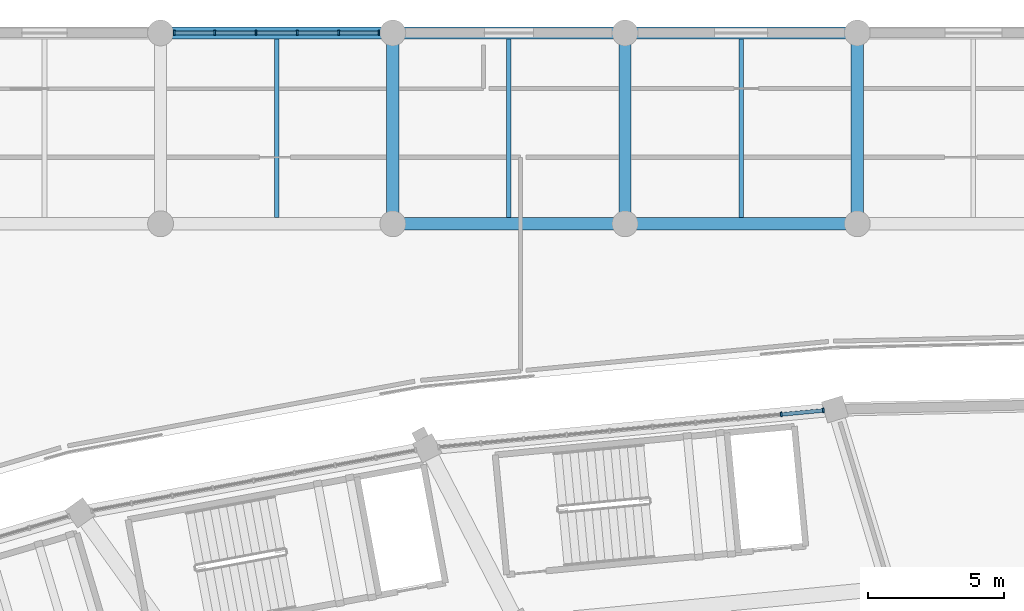
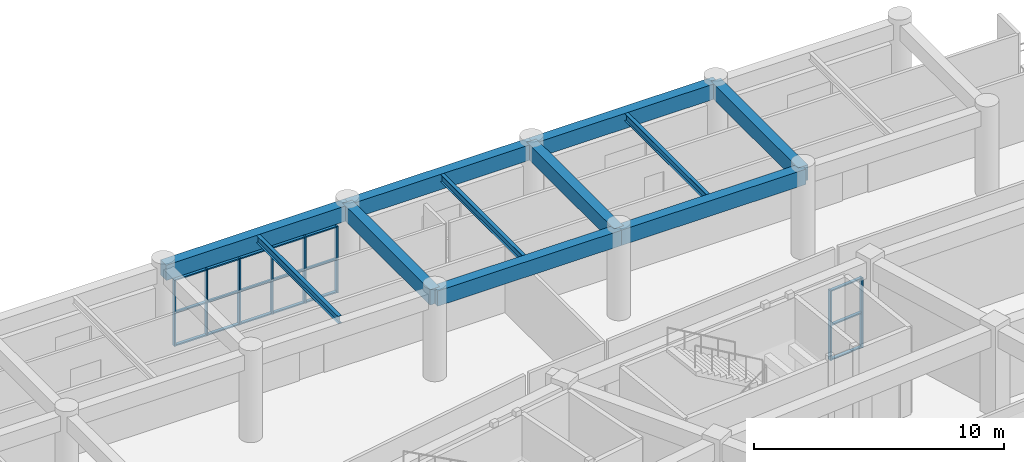
# One storey, part 66 of 145: 26 members, 11 beams, 2 elements without a shape of their own.
"""IFC4 building model written with IfcOpenShell, lengths in metres."""

from ifc_helpers import new_model, si_unit, direction, frame, origin, origin_2d, place, context, subcontext, project, spatial, rectangle, i_section, extrude, material, layer, layer_set, material_profile, profile_set, type_object, element, aggregate, save


model = new_model("IFC4")

# Units and contexts
model_context = context("Model", 3, precision=1e-05, world=origin(), true_north=direction((0.0, 1.0)))
body_context = subcontext(model_context, "Body", "Model", "MODEL_VIEW")
ifc_project = project(units=[si_unit("LENGTHUNIT", "METRE"), si_unit("AREAUNIT", "SQUARE_METRE"), si_unit("VOLUMEUNIT", "CUBIC_METRE"), si_unit("PLANEANGLEUNIT", "RADIAN"), si_unit("MASSUNIT", "GRAM", prefix="KILO")], contexts=[model_context])

# Site, building, storey
site_placement = place(None, origin())
site = spatial("IfcSite", under=ifc_project, at=site_placement, CompositionType="ELEMENT")
building_placement = place(site_placement, origin())
building = spatial("IfcBuilding", under=site, at=building_placement, Name="Mphavela Belvedere Stadium", CompositionType="ELEMENT")
storey_placement = place(building_placement, frame((0.0, 0.0, 10.199951171875)))
storey = spatial("IfcBuildingStorey", under=building, at=storey_placement, Name="L02", CompositionType="ELEMENT", Elevation=10.199951171875)

# Beams
ifc_material_1 = material(Name="Steel S355", Category="steel")
ifc_material_profile_1 = material_profile(ifc_material_1, i_section(OverallWidth=0.169921875, OverallDepth=0.360107421875, WebThickness=0.008056640625, FlangeThickness=0.0126953125, at=origin_2d()), Name="IPE 360")
ifc_profile_set_1 = profile_set([ifc_material_profile_1], Name="Steel S355")
beam_type_1 = type_object("IfcBeamType", Name="BM-JOIST-IPE360", PredefinedType="JOIST", material=ifc_profile_set_1)
for number, where, z_axis, x_axis, name in (
    (1, (72.407470703125, 167.22509765625, 4.06005859375), (0.0, 1.0, 0.0), (-1.0, 0.0, 0.0), "North Mast and Ceremonial End Forecourt secondary joist L02 9-7"),
    (2, (80.926025390625, 167.22509765625, 4.06005859375), (0.0, 1.0, 0.0), (-1.0, 0.0, 0.0), "North Mast and Ceremonial End Forecourt secondary joist L02 10-7"),
    (3, (89.444580078125, 167.22509765625, 4.06005859375), (0.0, 1.0, 0.0), (-1.0, 0.0, 0.0), "North Mast and Ceremonial End Forecourt secondary joist L02 11-7"),
):
    element("IfcBeam", number, at=place(storey_placement, frame(where, z_axis=z_axis, x_axis=x_axis)), inside=storey, type_object=beam_type_1, Name=name, PredefinedType="JOIST", context=body_context, shape_type="SweptSolid", body=[
        extrude(i_section(OverallWidth=0.169921875, OverallDepth=0.360107421875, WebThickness=0.008056640625, FlangeThickness=0.0126953125, at=origin_2d()), origin(), (0.0, 0.0, 1.0), 6.5498046875),
    ])
ifc_material_2 = material(Name="Concrete C40/50", Category="concrete")
ifc_material_profile_2 = material_profile(ifc_material_2, rectangle(XDim=0.449951171875, YDim=0.75, at=origin_2d()), Name="RC 450x750")
ifc_profile_set_2 = profile_set([ifc_material_profile_2], Name="Concrete C40/50")
beam_type_2 = type_object("IfcBeamType", Name="BM-RC450x750", PredefinedType="BEAM", material=ifc_profile_set_2)
beam_1_placement = place(storey_placement, frame((68.14794921875, 174.0, 3.864990234375), z_axis=(1.0, 0.0, 0.0), x_axis=(0.0, 1.0, 0.0)))
element("IfcBeam", 4, at=beam_1_placement, inside=storey, type_object=beam_type_2, Name="North Mast and Ceremonial End Forecourt entablature beam X L02 9-8", PredefinedType="BEAM", context=body_context, shape_type="SweptSolid", body=[
    extrude(rectangle(XDim=0.449951171875, YDim=0.75, at=origin_2d()), origin(), (0.0, 0.0, 1.0), 8.51904296875),
])
beam_2_placement = place(storey_placement, frame((76.6669921875, 167.0, 3.864990234375), z_axis=(1.0, 0.0, 0.0), x_axis=(0.0, 1.0, 0.0)))
element("IfcBeam", 5, at=beam_2_placement, inside=storey, type_object=beam_type_2, Name="North Mast and Ceremonial End Forecourt entablature beam X L02 10-7", PredefinedType="BEAM", context=body_context, shape_type="SweptSolid", body=[
    extrude(rectangle(XDim=0.449951171875, YDim=0.75, at=origin_2d()), origin(), (0.0, 0.0, 1.0), 8.51806640625),
])
beam_3_placement = place(storey_placement, frame((76.6669921875, 167.0, 3.864990234375), z_axis=(0.0, 1.0, 0.0), x_axis=(-1.0, 0.0, 0.0)))
element("IfcBeam", 6, at=beam_3_placement, inside=storey, type_object=beam_type_2, Name="North Mast and Ceremonial End Forecourt entablature beam Y L02 10-7", PredefinedType="BEAM", context=body_context, shape_type="SweptSolid", body=[
    extrude(rectangle(XDim=0.449951171875, YDim=0.75, at=origin_2d()), origin(), (0.0, 0.0, 1.0), 7.0),
])
beam_4_placement = place(storey_placement, frame((76.6669921875, 174.0, 3.864990234375), z_axis=(1.0, 0.0, 0.0), x_axis=(0.0, 1.0, 0.0)))
element("IfcBeam", 7, at=beam_4_placement, inside=storey, type_object=beam_type_2, Name="North Mast and Ceremonial End Forecourt entablature beam X L02 10-8", PredefinedType="BEAM", context=body_context, shape_type="SweptSolid", body=[
    extrude(rectangle(XDim=0.449951171875, YDim=0.75, at=origin_2d()), origin(), (0.0, 0.0, 1.0), 8.51806640625),
])
beam_5_placement = place(storey_placement, frame((85.18505859375, 167.0, 3.864990234375), z_axis=(1.0, 0.0, 0.0), x_axis=(0.0, 1.0, 0.0)))
element("IfcBeam", 8, at=beam_5_placement, inside=storey, type_object=beam_type_2, Name="North Mast and Ceremonial End Forecourt entablature beam X L02 11-7", PredefinedType="BEAM", context=body_context, shape_type="SweptSolid", body=[
    extrude(rectangle(XDim=0.449951171875, YDim=0.75, at=origin_2d()), origin(), (0.0, 0.0, 1.0), 8.51904296875),
])
beam_6_placement = place(storey_placement, frame((85.18505859375, 167.0, 3.864990234375), z_axis=(0.0, 1.0, 0.0), x_axis=(-1.0, 0.0, 0.0)))
element("IfcBeam", 9, at=beam_6_placement, inside=storey, type_object=beam_type_2, Name="North Mast and Ceremonial End Forecourt entablature beam Y L02 11-7", PredefinedType="BEAM", context=body_context, shape_type="SweptSolid", body=[
    extrude(rectangle(XDim=0.449951171875, YDim=0.75, at=origin_2d()), origin(), (0.0, 0.0, 1.0), 7.0),
])
beam_7_placement = place(storey_placement, frame((85.18505859375, 174.0, 3.864990234375), z_axis=(1.0, 0.0, 0.0), x_axis=(0.0, 1.0, 0.0)))
element("IfcBeam", 10, at=beam_7_placement, inside=storey, type_object=beam_type_2, Name="North Mast and Ceremonial End Forecourt entablature beam X L02 11-8", PredefinedType="BEAM", context=body_context, shape_type="SweptSolid", body=[
    extrude(rectangle(XDim=0.449951171875, YDim=0.75, at=origin_2d()), origin(), (0.0, 0.0, 1.0), 8.51904296875),
])
beam_8_placement = place(storey_placement, frame((93.7041015625, 167.0, 3.864990234375), z_axis=(0.0, 1.0, 0.0), x_axis=(-1.0, 0.0, 0.0)))
element("IfcBeam", 11, at=beam_8_placement, inside=storey, type_object=beam_type_2, Name="North Mast and Ceremonial End Forecourt entablature beam Y L02 12-7", PredefinedType="BEAM", context=body_context, shape_type="SweptSolid", body=[
    extrude(rectangle(XDim=0.449951171875, YDim=0.75, at=origin_2d()), origin(), (0.0, 0.0, 1.0), 7.0),
])

# Curtain wall, members
ifc_material_3 = material(Name="Anodised bronze unitised curtain wall framing")
ifc_layer_1 = layer(ifc_material_3, 0.18505859375)
ifc_layer_set_1 = layer_set([ifc_layer_1], Name="Anodised bronze unitised curtain wall framing")
curtain_wall_type_1 = type_object("IfcCurtainWallType", Name="CW-UNIT-02", PredefinedType="USERDEFINED", material=ifc_layer_set_1)
curtain_wall_1_placement = place(storey_placement, origin())
curtain_wall_1 = element("IfcCurtainWall", 12, at=curtain_wall_1_placement, inside=storey, type_object=curtain_wall_type_1, Name="Belvedere colonnade curtain wall L02-14", ObjectType="UNITISED CURTAIN WALL", PredefinedType="USERDEFINED")
ifc_material_4 = material(Name="Anodised bronze extruded aluminium", Category="aluminium")
ifc_material_profile_3 = material_profile(ifc_material_4, rectangle(XDim=0.179931640625, YDim=0.06494140625, at=origin_2d()), Name="CW-MUL 180x65")
ifc_profile_set_3 = profile_set([ifc_material_profile_3], Name="Anodised bronze extruded aluminium")
member_type_1 = type_object("IfcMemberType", Name="CWM-180x65", PredefinedType="MULLION", material=ifc_profile_set_3)
member_1_placement = place(storey_placement, frame((92.456787109375, 160.15283203125, 0.0), z_axis=(0.0, 0.0, 1.0), x_axis=(0.094925825406, -0.99548434828, 0.0)))
member_1 = element("IfcMember", 13, at=member_1_placement, type_object=member_type_1, Name="CW-02 mullion 1", PredefinedType="MULLION", context=body_context, shape_type="SweptSolid", body=[
    extrude(rectangle(XDim=0.179931640625, YDim=0.06494140625, at=origin_2d()), origin(), (0.0, 0.0, 1.0), 3.420166015625),
])
member_2_placement = place(storey_placement, frame((90.915283203125, 160.005859375, 0.0), z_axis=(0.0, 0.0, 1.0), x_axis=(0.094925825406, -0.99548434828, 0.0)))
member_2 = element("IfcMember", 14, at=member_2_placement, type_object=member_type_1, Name="CW-02 mullion 2", PredefinedType="MULLION", context=body_context, shape_type="SweptSolid", body=[
    extrude(rectangle(XDim=0.179931640625, YDim=0.06494140625, at=origin_2d()), origin(), (0.0, 0.0, 1.0), 3.420166015625),
])

ifc_material_5 = material(Name="Anodised bronze unitised curtain wall framing")
ifc_layer_2 = layer(ifc_material_5, 0.199951171875)
ifc_layer_set_2 = layer_set([ifc_layer_2], Name="Anodised bronze unitised curtain wall framing")
curtain_wall_type_2 = type_object("IfcCurtainWallType", Name="CW-UNIT-05", PredefinedType="USERDEFINED", material=ifc_layer_set_2)
curtain_wall_2_placement = place(storey_placement, origin())
curtain_wall_2 = element("IfcCurtainWall", 15, at=curtain_wall_2_placement, inside=storey, type_object=curtain_wall_type_2, Name="North Mast and Ceremonial End Forecourt gallery curtain wall L02-09", ObjectType="UNITISED CURTAIN WALL", PredefinedType="USERDEFINED")
member_3_placement = place(storey_placement, frame((68.653564453125, 174.0, 0.0), z_axis=(0.0, 0.0, 1.0), x_axis=(0.0, 1.0, 0.0)))
member_3 = element("IfcMember", 16, at=member_3_placement, type_object=member_type_1, Name="CW-05 mullion 1", PredefinedType="MULLION", context=body_context, shape_type="SweptSolid", body=[
    extrude(rectangle(XDim=0.179931640625, YDim=0.06494140625, at=origin_2d()), origin(), (0.0, 0.0, 1.0), 3.260009765625),
])
member_4_placement = place(storey_placement, frame((70.135498046875, 174.0, 0.0), z_axis=(0.0, 0.0, 1.0), x_axis=(0.0, 1.0, 0.0)))
member_4 = element("IfcMember", 17, at=member_4_placement, type_object=member_type_1, Name="CW-05 mullion 2", PredefinedType="MULLION", context=body_context, shape_type="SweptSolid", body=[
    extrude(rectangle(XDim=0.179931640625, YDim=0.06494140625, at=origin_2d()), origin(), (0.0, 0.0, 1.0), 3.260009765625),
])
member_5_placement = place(storey_placement, frame((71.650146484375, 174.0, 0.0), z_axis=(0.0, 0.0, 1.0), x_axis=(0.0, 1.0, 0.0)))
member_5 = element("IfcMember", 18, at=member_5_placement, type_object=member_type_1, Name="CW-05 mullion 3", PredefinedType="MULLION", context=body_context, shape_type="SweptSolid", body=[
    extrude(rectangle(XDim=0.179931640625, YDim=0.06494140625, at=origin_2d()), origin(), (0.0, 0.0, 1.0), 3.260009765625),
])
member_6_placement = place(storey_placement, frame((73.164794921875, 174.0, 0.0), z_axis=(0.0, 0.0, 1.0), x_axis=(0.0, 1.0, 0.0)))
member_6 = element("IfcMember", 19, at=member_6_placement, type_object=member_type_1, Name="CW-05 mullion 4", PredefinedType="MULLION", context=body_context, shape_type="SweptSolid", body=[
    extrude(rectangle(XDim=0.179931640625, YDim=0.06494140625, at=origin_2d()), origin(), (0.0, 0.0, 1.0), 3.260009765625),
])
member_7_placement = place(storey_placement, frame((74.679443359375, 174.0, 0.0), z_axis=(0.0, 0.0, 1.0), x_axis=(0.0, 1.0, 0.0)))
member_7 = element("IfcMember", 20, at=member_7_placement, type_object=member_type_1, Name="CW-05 mullion 5", PredefinedType="MULLION", context=body_context, shape_type="SweptSolid", body=[
    extrude(rectangle(XDim=0.179931640625, YDim=0.06494140625, at=origin_2d()), origin(), (0.0, 0.0, 1.0), 3.260009765625),
])
member_8_placement = place(storey_placement, frame((76.16162109375, 174.0, 0.0), z_axis=(0.0, 0.0, 1.0), x_axis=(0.0, 1.0, 0.0)))
member_8 = element("IfcMember", 21, at=member_8_placement, type_object=member_type_1, Name="CW-05 mullion 6", PredefinedType="MULLION", context=body_context, shape_type="SweptSolid", body=[
    extrude(rectangle(XDim=0.179931640625, YDim=0.06494140625, at=origin_2d()), origin(), (0.0, 0.0, 1.0), 3.260009765625),
])

# Member
ifc_material_6 = material(Name="Anodised bronze extruded aluminium", Category="aluminium")
ifc_material_profile_4 = material_profile(ifc_material_6, rectangle(XDim=0.139892578125, YDim=0.06005859375, at=origin_2d()), Name="CW-TRN 140x60")
ifc_profile_set_4 = profile_set([ifc_material_profile_4], Name="Anodised bronze extruded aluminium")
member_type_2 = type_object("IfcMemberType", Name="CWT-140x60", PredefinedType="USERDEFINED", material=ifc_profile_set_4)
member_9_placement = place(storey_placement, frame((92.424560546875, 160.14990234375, 0.030029296875), z_axis=(-0.995482892046, -0.094941095655, 0.0), x_axis=(0.094941095655, -0.995482892046, 0.0)))
member_9 = element("IfcMember", 22, at=member_9_placement, type_object=member_type_2, Name="CW-02 transom 1.1", ObjectType="TRANSOM", PredefinedType="USERDEFINED", context=body_context, shape_type="SweptSolid", body=[
    extrude(rectangle(XDim=0.139892578125, YDim=0.06005859375, at=origin_2d()), origin(), (0.0, 0.0, 1.0), 1.483642578125),
])

member_10_placement = place(storey_placement, frame((92.424560546875, 160.14990234375, 1.7099609375), z_axis=(-0.995482892046, -0.094941095655, 0.0), x_axis=(0.094941095655, -0.995482892046, 0.0)))
member_10 = element("IfcMember", 23, at=member_10_placement, type_object=member_type_2, Name="CW-02 transom 1.2", ObjectType="TRANSOM", PredefinedType="USERDEFINED", context=body_context, shape_type="SweptSolid", body=[
    extrude(rectangle(XDim=0.139892578125, YDim=0.06005859375, at=origin_2d()), origin(), (0.0, 0.0, 1.0), 1.483642578125),
])

member_11_placement = place(storey_placement, frame((92.424560546875, 160.14990234375, 3.39013671875), z_axis=(-0.995482892046, -0.094941095655, 0.0), x_axis=(0.094941095655, -0.995482892046, 0.0)))
member_11 = element("IfcMember", 24, at=member_11_placement, type_object=member_type_2, Name="CW-02 transom 1.3", ObjectType="TRANSOM", PredefinedType="USERDEFINED", context=body_context, shape_type="SweptSolid", body=[
    extrude(rectangle(XDim=0.139892578125, YDim=0.06005859375, at=origin_2d()), origin(), (0.0, 0.0, 1.0), 1.483642578125),
])

aggregate(curtain_wall_1, [member_1, member_2, member_9, member_10, member_11])

member_12_placement = place(storey_placement, frame((68.68603515625, 174.0, 0.030029296875), z_axis=(1.0, 0.0, 0.0), x_axis=(0.0, 1.0, 0.0)))
member_12 = element("IfcMember", 25, at=member_12_placement, type_object=member_type_2, Name="CW-05 transom 1.1", ObjectType="TRANSOM", PredefinedType="USERDEFINED", context=body_context, shape_type="SweptSolid", body=[
    extrude(rectangle(XDim=0.139892578125, YDim=0.06005859375, at=origin_2d()), origin(), (0.0, 0.0, 1.0), 1.4169921875),
])

member_13_placement = place(storey_placement, frame((68.68603515625, 174.0, 1.630126953125), z_axis=(1.0, 0.0, 0.0), x_axis=(0.0, 1.0, 0.0)))
member_13 = element("IfcMember", 26, at=member_13_placement, type_object=member_type_2, Name="CW-05 transom 1.2", ObjectType="TRANSOM", PredefinedType="USERDEFINED", context=body_context, shape_type="SweptSolid", body=[
    extrude(rectangle(XDim=0.139892578125, YDim=0.06005859375, at=origin_2d()), origin(), (0.0, 0.0, 1.0), 1.4169921875),
])

member_14_placement = place(storey_placement, frame((68.68603515625, 174.0, 3.22998046875), z_axis=(1.0, 0.0, 0.0), x_axis=(0.0, 1.0, 0.0)))
member_14 = element("IfcMember", 27, at=member_14_placement, type_object=member_type_2, Name="CW-05 transom 1.3", ObjectType="TRANSOM", PredefinedType="USERDEFINED", context=body_context, shape_type="SweptSolid", body=[
    extrude(rectangle(XDim=0.139892578125, YDim=0.06005859375, at=origin_2d()), origin(), (0.0, 0.0, 1.0), 1.4169921875),
])

member_15_placement = place(storey_placement, frame((70.168212890625, 174.0, 0.030029296875), z_axis=(1.0, 0.0, 0.0), x_axis=(0.0, 1.0, 0.0)))
member_15 = element("IfcMember", 28, at=member_15_placement, type_object=member_type_2, Name="CW-05 transom 2.1", ObjectType="TRANSOM", PredefinedType="USERDEFINED", context=body_context, shape_type="SweptSolid", body=[
    extrude(rectangle(XDim=0.139892578125, YDim=0.06005859375, at=origin_2d()), origin(), (0.0, 0.0, 1.0), 1.449462890625),
])

member_16_placement = place(storey_placement, frame((70.168212890625, 174.0, 1.630126953125), z_axis=(1.0, 0.0, 0.0), x_axis=(0.0, 1.0, 0.0)))
member_16 = element("IfcMember", 29, at=member_16_placement, type_object=member_type_2, Name="CW-05 transom 2.2", ObjectType="TRANSOM", PredefinedType="USERDEFINED", context=body_context, shape_type="SweptSolid", body=[
    extrude(rectangle(XDim=0.139892578125, YDim=0.06005859375, at=origin_2d()), origin(), (0.0, 0.0, 1.0), 1.449462890625),
])

member_17_placement = place(storey_placement, frame((70.168212890625, 174.0, 3.22998046875), z_axis=(1.0, 0.0, 0.0), x_axis=(0.0, 1.0, 0.0)))
member_17 = element("IfcMember", 30, at=member_17_placement, type_object=member_type_2, Name="CW-05 transom 2.3", ObjectType="TRANSOM", PredefinedType="USERDEFINED", context=body_context, shape_type="SweptSolid", body=[
    extrude(rectangle(XDim=0.139892578125, YDim=0.06005859375, at=origin_2d()), origin(), (0.0, 0.0, 1.0), 1.449462890625),
])

member_18_placement = place(storey_placement, frame((71.6826171875, 174.0, 0.030029296875), z_axis=(1.0, 0.0, 0.0), x_axis=(0.0, 1.0, 0.0)))
member_18 = element("IfcMember", 31, at=member_18_placement, type_object=member_type_2, Name="CW-05 transom 3.1", ObjectType="TRANSOM", PredefinedType="USERDEFINED", context=body_context, shape_type="SweptSolid", body=[
    extrude(rectangle(XDim=0.139892578125, YDim=0.06005859375, at=origin_2d()), origin(), (0.0, 0.0, 1.0), 1.44970703125),
])

member_19_placement = place(storey_placement, frame((71.6826171875, 174.0, 1.630126953125), z_axis=(1.0, 0.0, 0.0), x_axis=(0.0, 1.0, 0.0)))
member_19 = element("IfcMember", 32, at=member_19_placement, type_object=member_type_2, Name="CW-05 transom 3.2", ObjectType="TRANSOM", PredefinedType="USERDEFINED", context=body_context, shape_type="SweptSolid", body=[
    extrude(rectangle(XDim=0.139892578125, YDim=0.06005859375, at=origin_2d()), origin(), (0.0, 0.0, 1.0), 1.44970703125),
])

member_20_placement = place(storey_placement, frame((71.6826171875, 174.0, 3.22998046875), z_axis=(1.0, 0.0, 0.0), x_axis=(0.0, 1.0, 0.0)))
member_20 = element("IfcMember", 33, at=member_20_placement, type_object=member_type_2, Name="CW-05 transom 3.3", ObjectType="TRANSOM", PredefinedType="USERDEFINED", context=body_context, shape_type="SweptSolid", body=[
    extrude(rectangle(XDim=0.139892578125, YDim=0.06005859375, at=origin_2d()), origin(), (0.0, 0.0, 1.0), 1.44970703125),
])

member_21_placement = place(storey_placement, frame((73.197265625, 174.0, 0.030029296875), z_axis=(1.0, 0.0, 0.0), x_axis=(0.0, 1.0, 0.0)))
member_21 = element("IfcMember", 34, at=member_21_placement, type_object=member_type_2, Name="CW-05 transom 4.1", ObjectType="TRANSOM", PredefinedType="USERDEFINED", context=body_context, shape_type="SweptSolid", body=[
    extrude(rectangle(XDim=0.139892578125, YDim=0.06005859375, at=origin_2d()), origin(), (0.0, 0.0, 1.0), 1.44970703125),
])

member_22_placement = place(storey_placement, frame((73.197265625, 174.0, 1.630126953125), z_axis=(1.0, 0.0, 0.0), x_axis=(0.0, 1.0, 0.0)))
member_22 = element("IfcMember", 35, at=member_22_placement, type_object=member_type_2, Name="CW-05 transom 4.2", ObjectType="TRANSOM", PredefinedType="USERDEFINED", context=body_context, shape_type="SweptSolid", body=[
    extrude(rectangle(XDim=0.139892578125, YDim=0.06005859375, at=origin_2d()), origin(), (0.0, 0.0, 1.0), 1.44970703125),
])

member_23_placement = place(storey_placement, frame((73.197265625, 174.0, 3.22998046875), z_axis=(1.0, 0.0, 0.0), x_axis=(0.0, 1.0, 0.0)))
member_23 = element("IfcMember", 36, at=member_23_placement, type_object=member_type_2, Name="CW-05 transom 4.3", ObjectType="TRANSOM", PredefinedType="USERDEFINED", context=body_context, shape_type="SweptSolid", body=[
    extrude(rectangle(XDim=0.139892578125, YDim=0.06005859375, at=origin_2d()), origin(), (0.0, 0.0, 1.0), 1.44970703125),
])

member_24_placement = place(storey_placement, frame((74.7119140625, 174.0, 0.030029296875), z_axis=(1.0, 0.0, 0.0), x_axis=(0.0, 1.0, 0.0)))
member_24 = element("IfcMember", 37, at=member_24_placement, type_object=member_type_2, Name="CW-05 transom 5.1", ObjectType="TRANSOM", PredefinedType="USERDEFINED", context=body_context, shape_type="SweptSolid", body=[
    extrude(rectangle(XDim=0.139892578125, YDim=0.06005859375, at=origin_2d()), origin(), (0.0, 0.0, 1.0), 1.4169921875),
])

member_25_placement = place(storey_placement, frame((74.7119140625, 174.0, 1.630126953125), z_axis=(1.0, 0.0, 0.0), x_axis=(0.0, 1.0, 0.0)))
member_25 = element("IfcMember", 38, at=member_25_placement, type_object=member_type_2, Name="CW-05 transom 5.2", ObjectType="TRANSOM", PredefinedType="USERDEFINED", context=body_context, shape_type="SweptSolid", body=[
    extrude(rectangle(XDim=0.139892578125, YDim=0.06005859375, at=origin_2d()), origin(), (0.0, 0.0, 1.0), 1.4169921875),
])

member_26_placement = place(storey_placement, frame((74.7119140625, 174.0, 3.22998046875), z_axis=(1.0, 0.0, 0.0), x_axis=(0.0, 1.0, 0.0)))
member_26 = element("IfcMember", 39, at=member_26_placement, type_object=member_type_2, Name="CW-05 transom 5.3", ObjectType="TRANSOM", PredefinedType="USERDEFINED", context=body_context, shape_type="SweptSolid", body=[
    extrude(rectangle(XDim=0.139892578125, YDim=0.06005859375, at=origin_2d()), origin(), (0.0, 0.0, 1.0), 1.4169921875),
])

aggregate(curtain_wall_2, [member_3, member_4, member_5, member_6, member_7, member_8, member_12, member_13, member_14, member_15, member_16, member_17, member_18, member_19, member_20, member_21, member_22, member_23, member_24, member_25, member_26])

save(model, "model.ifc")
